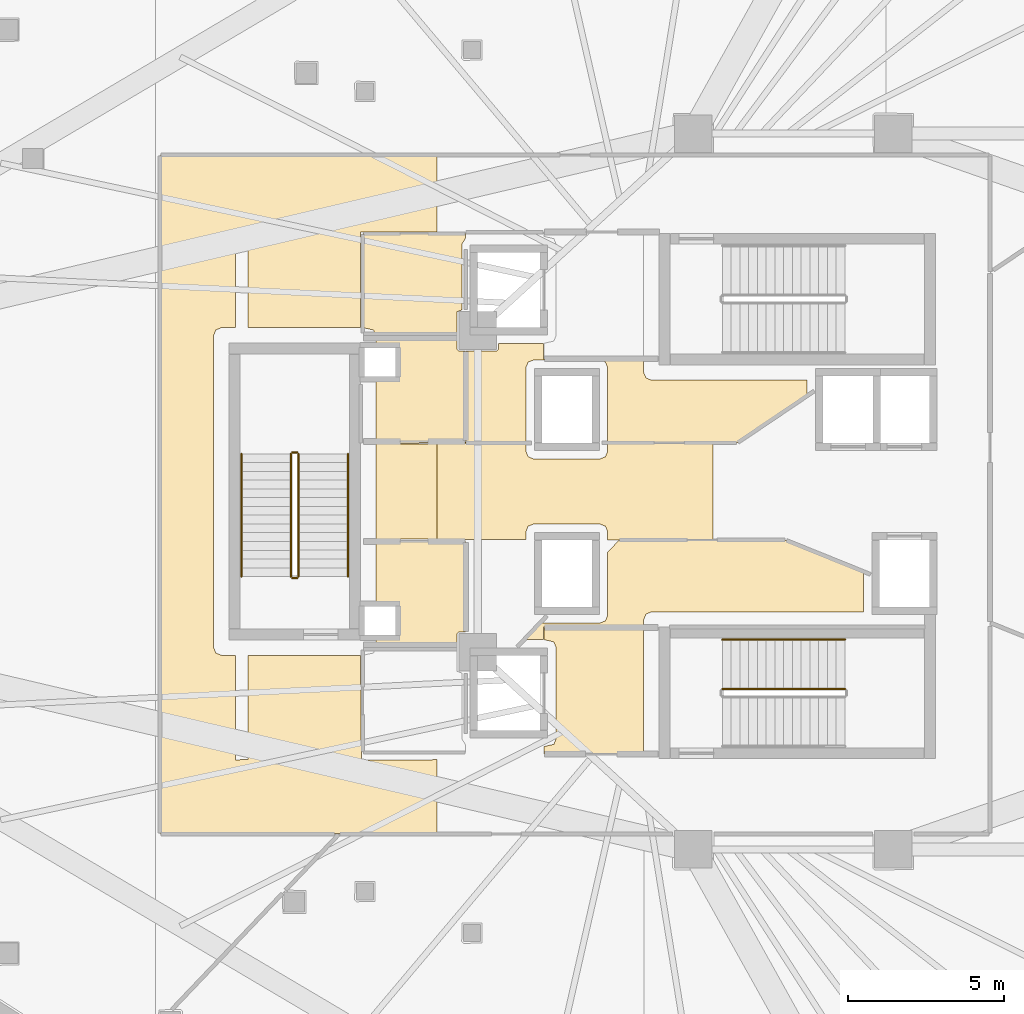
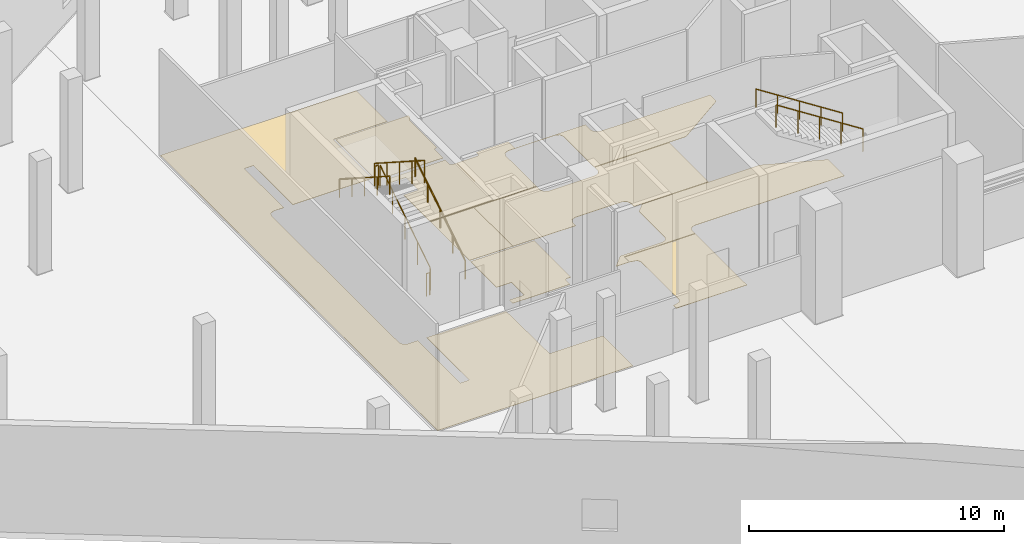
# One storey, part 33 of 36: 9 coverings, 8 railings.
"""IFC4 building model written with IfcOpenShell, lengths in metres."""

from ifc_helpers import new_model, si_unit, direction, frame, origin, origin_2d, place, context, subcontext, project, spatial, polyline, circle, outline, extrude, material, layer, layer_set, type_object, element, save


model = new_model("IFC4")

# Units and contexts
model_context = context("Model", 3, precision=1e-05, world=origin(), true_north=direction((0.0, 1.0)))
body_context = subcontext(model_context, "Body", "Model", "MODEL_VIEW")
ifc_project = project(units=[si_unit("LENGTHUNIT", "METRE"), si_unit("AREAUNIT", "SQUARE_METRE"), si_unit("VOLUMEUNIT", "CUBIC_METRE"), si_unit("PLANEANGLEUNIT", "RADIAN"), si_unit("MASSUNIT", "GRAM", prefix="KILO")], contexts=[model_context])

# Site, building, storey
site_placement = place(None, origin())
site = spatial("IfcSite", under=ifc_project, at=site_placement, CompositionType="ELEMENT")
building_placement = place(site_placement, origin())
building = spatial("IfcBuilding", under=site, at=building_placement, Name="Qorvath Tower", CompositionType="ELEMENT")
storey_placement = place(building_placement, frame((0.0, 0.0, 27.0)))
storey = spatial("IfcBuildingStorey", under=building, at=storey_placement, Name="L05", CompositionType="ELEMENT", Elevation=27.0)

# Coverings
ifc_material_1 = material(Name="Low-VOC modular carpet tile", Category="textile")
ifc_layer_1 = layer(ifc_material_1, 0.014892578125)
ifc_layer_set_1 = layer_set([ifc_layer_1], Name="COV-FLOOR-CPT")
covering_type_1 = type_object("IfcCoveringType", Name="COV-FLOOR-CPT", PredefinedType="FLOORING", material=ifc_layer_set_1)
covering_1_placement = place(storey_placement, origin())
element("IfcCovering", 1, at=covering_1_placement, inside=storey, type_object=covering_type_1, Name="L05 Floor Finish 004", PredefinedType="FLOORING", context=body_context, shape_type="SweptSolid", body=[
    extrude(outline(polyline([(-31.159912109375, 4.89501953125), (-33.760009765625, 4.89501953125), (-33.760009765625, 4.633056640625), (-33.08837890625, 4.631591796875), (-33.0869140625, 3.64208984375), (-33.760009765625, 3.636962890625), (-33.760009765625, 1.60498046875), (-30.885009765625, 1.60498046875), (-30.885009765625, 4.489990234375), (-31.10009765625, 4.489990234375), (-31.159912109375, 4.550048828125), (-31.159912109375, 4.89501953125)])), origin(), (0.0, 0.0, 1.0), 0.014892578125),
])
covering_2_placement = place(storey_placement, origin())
element("IfcCovering", 2, at=covering_2_placement, inside=storey, type_object=covering_type_1, Name="L05 Floor Finish 006", PredefinedType="FLOORING", context=body_context, shape_type="SweptSolid", body=[
    extrude(outline(polyline([(-30.885009765625, -4.489990234375), (-30.885009765625, -1.60498046875), (-33.760009765625, -1.60498046875), (-33.760009765625, -3.636962890625), (-33.08837890625, -3.638427734375), (-33.0869140625, -4.6279296875), (-33.760009765625, -4.633056640625), (-33.760009765625, -4.89501953125), (-31.159912109375, -4.89501953125), (-31.159912109375, -4.550048828125), (-31.10009765625, -4.489990234375), (-30.885009765625, -4.489990234375)])), origin(), (0.0, 0.0, 1.0), 0.014892578125),
])
covering_3_placement = place(storey_placement, origin())
element("IfcCovering", 3, at=covering_3_placement, inside=storey, type_object=covering_type_1, Name="L05 Floor Finish 013", PredefinedType="FLOORING", context=body_context, shape_type="SweptSolid", body=[
    extrude(outline(polyline([(-33.760009765625, 1.5869140625), (-33.760009765625, 1.53564453125), (-28.9599609375, 1.56103515625), (-28.9599609375, 3.9599609375), (-28.88671875, 4.13671875), (-28.7099609375, 4.2099609375), (-26.590087890625, 4.2099609375), (-26.413330078125, 4.13671875), (-26.340087890625, 3.9599609375), (-26.340087890625, 1.56298828125), (-22.191650390625, 1.56298828125), (-19.9599609375, 3.068359375), (-19.9599609375, 3.56005859375), (-24.93994140625, 3.56005859375), (-25.11669921875, 3.63330078125), (-25.18994140625, 3.81005859375), (-25.18994140625, 4.237060546875), (-28.387939453125, 4.237060546875), (-28.39306640625, 4.739990234375), (-29.840087890625, 4.739990234375), (-29.840087890625, 4.550048828125), (-29.89990234375, 4.489990234375), (-30.866943359375, 4.489990234375), (-30.8720703125, 1.5869140625), (-33.760009765625, 1.5869140625)])), origin(), (0.0, 0.0, 1.0), 0.014892578125),
])
covering_4_placement = place(storey_placement, origin())
element("IfcCovering", 4, at=covering_4_placement, inside=storey, type_object=covering_type_1, Name="L05 Floor Finish 017", PredefinedType="FLOORING", context=body_context, shape_type="SweptSolid", body=[
    extrude(outline(polyline([(-25.18994140625, -4.33447265625), (-25.18994140625, -4.10009765625), (-25.11669921875, -3.92333984375), (-24.93994140625, -3.85009765625), (-18.159912109375, -3.85009765625), (-18.159912109375, -2.567138671875), (-20.64501953125, -1.56298828125), (-25.9814453125, -1.56298828125), (-26.340087890625, -1.939453125), (-26.340087890625, -3.9599609375), (-26.413330078125, -4.13671875), (-26.590087890625, -4.2099609375), (-28.501953125, -4.2099609375), (-29.0068359375, -4.739990234375), (-28.39306640625, -4.739990234375), (-28.387939453125, -4.3369140625), (-25.18994140625, -4.33447265625)])), origin(), (0.0, 0.0, 1.0), 0.014892578125),
])
ifc_material_2 = material(Name="Polished epoxy terrazzo flooring", Category="concrete")
ifc_layer_2 = layer(ifc_material_2, 0.02001953125)
ifc_layer_set_2 = layer_set([ifc_layer_2], Name="COV-FLOOR-TRZ")
covering_type_2 = type_object("IfcCoveringType", Name="COV-FLOOR-TRZ", PredefinedType="FLOORING", material=ifc_layer_set_2)
covering_5_placement = place(storey_placement, origin())
element("IfcCovering", 5, at=covering_5_placement, inside=storey, type_object=covering_type_2, Name="L05 Floor Finish 002", PredefinedType="FLOORING", context=body_context, shape_type="SweptSolid", body=[
    extrude(outline(polyline([(-25.18994140625, -8.39501953125), (-25.18994140625, -4.35498046875), (-28.375, -4.35498046875), (-28.375, -4.739990234375), (-28.063232421875, -4.813232421875), (-27.989990234375, -4.989990234375), (-27.989990234375, -7.909912109375), (-28.063232421875, -8.086669921875), (-28.375, -8.159912109375), (-28.375, -8.39501953125), (-25.18994140625, -8.39501953125)])), origin(), (0.0, 0.0, 1.0), 0.014892578125),
])
covering_6_placement = place(storey_placement, origin())
element("IfcCovering", 6, at=covering_6_placement, inside=storey, type_object=covering_type_2, Name="L05 Floor Finish 003", PredefinedType="FLOORING", context=body_context, shape_type="SweptSolid", body=[
    extrude(outline(polyline([(-31.010009765625, 7.909912109375), (-30.885009765625, 8.108154296875), (-30.885009765625, 8.2451171875), (-34.175048828125, 8.2451171875), (-34.175048828125, 5.239990234375), (-33.833251953125, 5.166748046875), (-33.786865234375, 5.054931640625), (-31.159912109375, 5.054931640625), (-31.159912109375, 5.75), (-31.010009765625, 5.81005859375), (-31.010009765625, 7.909912109375)])), origin(), (0.0, 0.0, 1.0), 0.014892578125),
])
covering_7_placement = place(storey_placement, origin())
element("IfcCovering", 7, at=covering_7_placement, inside=storey, type_object=covering_type_2, Name="L05 Floor Finish 007", PredefinedType="FLOORING", context=body_context, shape_type="SweptSolid", body=[
    extrude(outline(polyline([(-31.804931640625, -10.945068359375), (-31.804931640625, -8.58203125), (-34.219970703125, -8.5849609375), (-34.251220703125, -5.239990234375), (-37.844970703125, -5.239990234375), (-37.844970703125, -8.580078125), (-38.25341796875, -8.58349609375), (-38.2548828125, -5.239990234375), (-38.699951171875, -5.239990234375), (-38.876708984375, -5.166748046875), (-38.949951171875, -4.989990234375), (-38.949951171875, 4.989990234375), (-38.876708984375, 5.166748046875), (-38.699951171875, 5.239990234375), (-38.2548828125, 5.239990234375), (-38.2548828125, 8.320068359375), (-37.844970703125, 8.320068359375), (-37.844970703125, 5.239990234375), (-34.2548828125, 5.239990234375), (-34.2548828125, 8.300048828125), (-31.804931640625, 8.30126953125), (-31.804931640625, 10.7451171875), (-40.64501953125, 10.7451171875), (-40.64501953125, -10.945068359375), (-31.804931640625, -10.945068359375)])), origin(), (0.0, 0.0, 1.0), 0.014892578125),
])
covering_8_placement = place(storey_placement, origin())
element("IfcCovering", 8, at=covering_8_placement, inside=storey, type_object=covering_type_2, Name="L05 Floor Finish 008", PredefinedType="FLOORING", context=body_context, shape_type="SweptSolid", body=[
    extrude(outline(polyline([(-31.804931640625, -1.52783203125), (-31.804931640625, 1.52783203125), (-33.760009765625, 1.517578125), (-33.760009765625, -1.517578125), (-31.804931640625, -1.52783203125)])), origin(), (0.0, 0.0, 1.0), 0.014892578125),
])
covering_9_placement = place(storey_placement, origin())
element("IfcCovering", 9, at=covering_9_placement, inside=storey, type_object=covering_type_2, Name="L05 Floor Finish 009", PredefinedType="FLOORING", context=body_context, shape_type="SweptSolid", body=[
    extrude(outline(polyline([(-22.965087890625, -1.544921875), (-22.965087890625, 1.544921875), (-26.340087890625, 1.544921875), (-26.340087890625, 1.2900390625), (-26.413330078125, 1.11328125), (-26.590087890625, 1.0400390625), (-28.7099609375, 1.0400390625), (-28.88671875, 1.11328125), (-28.9599609375, 1.2900390625), (-28.9599609375, 1.54296875), (-31.804931640625, 1.52783203125), (-31.804931640625, -1.52783203125), (-28.9599609375, -1.54296875), (-28.9599609375, -1.2900390625), (-28.88671875, -1.11328125), (-28.7099609375, -1.0400390625), (-26.590087890625, -1.0400390625), (-26.413330078125, -1.11328125), (-26.340087890625, -1.2900390625), (-26.340087890625, -1.544921875), (-22.965087890625, -1.544921875)])), origin(), (0.0, 0.0, 1.0), 0.014892578125),
])

# Railings
ifc_material_3 = material(Name="Painted galvanised steel", Category="steel")
railing_type_1 = type_object("IfcRailingType", Name="RL-STR-GRD", PredefinedType="GUARDRAIL", material=ifc_material_3)
railing_1_placement = place(storey_placement, frame((-18.75, -6.320068359375, 2.8798828125)))
element("IfcRailing", 10, at=railing_1_placement, inside=storey, type_object=railing_type_1, Name="L05 TS2 stair guard 3", PredefinedType="GUARDRAIL", context=body_context, shape_type="SweptSolid", body=[
    extrude(circle(Radius=0.02392578125, at=origin_2d()), frame((0.0, 0.0, 1.076171875), z_axis=(-0.841171666519, 0.0, 0.540768182723), x_axis=(0.0, -1.0, 0.0)), (0.0, 0.0, 1.0), 4.66015625),
    extrude(circle(Radius=0.02099609375, at=origin_2d()), origin(), (0.0, 0.0, 1.0), 1.052001953125),
    extrude(circle(Radius=0.02099609375, at=origin_2d()), frame((-0.97998046875, 0.0, 0.6298828125)), (0.0, 0.0, 1.0), 1.052001953125),
    extrude(circle(Radius=0.02099609375, at=origin_2d()), frame((-1.9599609375, 0.0, 1.260009765625)), (0.0, 0.0, 1.0), 1.052001953125),
    extrude(circle(Radius=0.02099609375, at=origin_2d()), frame((-2.93994140625, 0.0, 1.89013671875)), (0.0, 0.0, 1.0), 1.052001953125),
    extrude(circle(Radius=0.02099609375, at=origin_2d()), frame((-3.919921875, 0.0, 2.52001953125)), (0.0, 0.0, 1.0), 1.052001953125),
])
railing_2_placement = place(storey_placement, frame((-36.22998046875, -2.719970703125, 0.179931640625)))
element("IfcRailing", 11, at=railing_2_placement, inside=storey, type_object=railing_type_1, Name="L05 TS3 stair guard 1", PredefinedType="GUARDRAIL", context=body_context, shape_type="SweptSolid", body=[
    extrude(circle(Radius=0.02392578125, at=origin_2d()), frame((0.0, 0.0, 1.076171875), z_axis=(0.0, 0.841171666519, 0.540768182723), x_axis=(-1.0, 0.0, 0.0)), (0.0, 0.0, 1.0), 4.66015625),
    extrude(circle(Radius=0.02099609375, at=origin_2d()), origin(), (0.0, 0.0, 1.0), 1.052001953125),
    extrude(circle(Radius=0.02099609375, at=origin_2d()), frame((0.0, 0.97998046875, 0.6298828125)), (0.0, 0.0, 1.0), 1.052001953125),
    extrude(circle(Radius=0.02099609375, at=origin_2d()), frame((0.0, 1.9599609375, 1.260009765625)), (0.0, 0.0, 1.0), 1.052001953125),
    extrude(circle(Radius=0.02099609375, at=origin_2d()), frame((0.0, 2.93994140625, 1.89013671875)), (0.0, 0.0, 1.0), 1.052001953125),
    extrude(circle(Radius=0.02099609375, at=origin_2d()), frame((0.0, 3.919921875, 2.52001953125)), (0.0, 0.0, 1.0), 1.052001953125),
])
railing_3_placement = place(storey_placement, frame((-36.280029296875, 1.25, 2.699951171875)))
element("IfcRailing", 12, at=railing_3_placement, inside=storey, type_object=railing_type_1, Name="L05 TS3 stair guard 2", PredefinedType="GUARDRAIL", context=body_context, shape_type="SweptSolid", body=[
    extrude(circle(Radius=0.02392578125, at=origin_2d()), frame((0.0, 0.0, 1.076171875), z_axis=(-1.0, 0.0, 0.0), x_axis=(0.0, -1.0, 0.0)), (0.0, 0.0, 1.0), 0.14990234375),
    extrude(circle(Radius=0.02099609375, at=origin_2d()), origin(), (0.0, 0.0, 1.0), 1.052001953125),
    extrude(circle(Radius=0.02099609375, at=origin_2d()), frame((-0.14990234375, 0.0, 0.0)), (0.0, 0.0, 1.0), 1.052001953125),
])
railing_4_placement = place(storey_placement, frame((-36.47998046875, 1.199951171875, 2.8798828125)))
element("IfcRailing", 13, at=railing_4_placement, inside=storey, type_object=railing_type_1, Name="L05 TS3 stair guard 3", PredefinedType="GUARDRAIL", context=body_context, shape_type="SweptSolid", body=[
    extrude(circle(Radius=0.02392578125, at=origin_2d()), frame((0.0, 0.0, 1.076171875), z_axis=(0.0, -0.841171666519, 0.540768182723), x_axis=(1.0, 0.0, 0.0)), (0.0, 0.0, 1.0), 4.66015625),
    extrude(circle(Radius=0.02099609375, at=origin_2d()), origin(), (0.0, 0.0, 1.0), 1.052001953125),
    extrude(circle(Radius=0.02099609375, at=origin_2d()), frame((0.0, -0.97998046875, 0.6298828125)), (0.0, 0.0, 1.0), 1.052001953125),
    extrude(circle(Radius=0.02099609375, at=origin_2d()), frame((0.0, -1.9599609375, 1.260009765625)), (0.0, 0.0, 1.0), 1.052001953125),
    extrude(circle(Radius=0.02099609375, at=origin_2d()), frame((0.0, -2.93994140625, 1.89013671875)), (0.0, 0.0, 1.0), 1.052001953125),
    extrude(circle(Radius=0.02099609375, at=origin_2d()), frame((0.0, -3.919921875, 2.52001953125)), (0.0, 0.0, 1.0), 1.052001953125),
])
railing_5_placement = place(storey_placement, frame((-36.280029296875, -2.77001953125, 0.0)))
element("IfcRailing", 14, at=railing_5_placement, inside=storey, type_object=railing_type_1, Name="L05 TS3 stair guard 4", PredefinedType="GUARDRAIL", context=body_context, shape_type="SweptSolid", body=[
    extrude(circle(Radius=0.02392578125, at=origin_2d()), frame((0.0, 0.0, 1.076171875), z_axis=(-1.0, 0.0, 0.0), x_axis=(0.0, -1.0, 0.0)), (0.0, 0.0, 1.0), 0.14990234375),
    extrude(circle(Radius=0.02099609375, at=origin_2d()), origin(), (0.0, 0.0, 1.0), 1.052001953125),
    extrude(circle(Radius=0.02099609375, at=origin_2d()), frame((-0.14990234375, 0.0, 0.0)), (0.0, 0.0, 1.0), 1.052001953125),
])
ifc_material_4 = material(Name="Brushed stainless steel AISI 304", Category="steel")
railing_type_2 = type_object("IfcRailingType", Name="RL-STR-HND", PredefinedType="HANDRAIL", material=ifc_material_4)
railing_6_placement = place(storey_placement, frame((-18.75, -4.739990234375, 2.8798828125)))
element("IfcRailing", 15, at=railing_6_placement, inside=storey, type_object=railing_type_2, Name="L05 TS2 stair handrail 2", PredefinedType="HANDRAIL", context=body_context, shape_type="SweptSolid", body=[
    extrude(circle(Radius=0.02392578125, at=origin_2d()), frame((0.0, 0.0, 0.8759765625), z_axis=(-0.841171666519, 0.0, 0.540768182723), x_axis=(0.0, -1.0, 0.0)), (0.0, 0.0, 1.0), 4.66015625),
    extrude(circle(Radius=0.02099609375, at=origin_2d()), origin(), (0.0, 0.0, 1.0), 0.851806640625),
    extrude(circle(Radius=0.02099609375, at=origin_2d()), frame((-0.97998046875, 0.0, 0.6298828125)), (0.0, 0.0, 1.0), 0.851806640625),
    extrude(circle(Radius=0.02099609375, at=origin_2d()), frame((-1.9599609375, 0.0, 1.260009765625)), (0.0, 0.0, 1.0), 0.851806640625),
    extrude(circle(Radius=0.02099609375, at=origin_2d()), frame((-2.93994140625, 0.0, 1.89013671875)), (0.0, 0.0, 1.0), 0.851806640625),
    extrude(circle(Radius=0.02099609375, at=origin_2d()), frame((-3.919921875, 0.0, 2.52001953125)), (0.0, 0.0, 1.0), 0.851806640625),
])
railing_7_placement = place(storey_placement, frame((-34.64990234375, -2.719970703125, 0.179931640625)))
element("IfcRailing", 16, at=railing_7_placement, inside=storey, type_object=railing_type_2, Name="L05 TS3 stair handrail 1", PredefinedType="HANDRAIL", context=body_context, shape_type="SweptSolid", body=[
    extrude(circle(Radius=0.02392578125, at=origin_2d()), frame((0.0, 0.0, 0.8759765625), z_axis=(0.0, 0.841171666519, 0.540768182723), x_axis=(-1.0, 0.0, 0.0)), (0.0, 0.0, 1.0), 4.66015625),
    extrude(circle(Radius=0.02099609375, at=origin_2d()), origin(), (0.0, 0.0, 1.0), 0.851806640625),
    extrude(circle(Radius=0.02099609375, at=origin_2d()), frame((0.0, 0.97998046875, 0.6298828125)), (0.0, 0.0, 1.0), 0.851806640625),
    extrude(circle(Radius=0.02099609375, at=origin_2d()), frame((0.0, 1.9599609375, 1.260009765625)), (0.0, 0.0, 1.0), 0.851806640625),
    extrude(circle(Radius=0.02099609375, at=origin_2d()), frame((0.0, 2.93994140625, 1.89013671875)), (0.0, 0.0, 1.0), 0.851806640625),
    extrude(circle(Radius=0.02099609375, at=origin_2d()), frame((0.0, 3.919921875, 2.52001953125)), (0.0, 0.0, 1.0), 0.851806640625),
])
railing_8_placement = place(storey_placement, frame((-38.06005859375, 1.199951171875, 2.8798828125)))
element("IfcRailing", 17, at=railing_8_placement, inside=storey, type_object=railing_type_2, Name="L05 TS3 stair handrail 2", PredefinedType="HANDRAIL", context=body_context, shape_type="SweptSolid", body=[
    extrude(circle(Radius=0.02392578125, at=origin_2d()), frame((0.0, 0.0, 0.8759765625), z_axis=(0.0, -0.841171666519, 0.540768182723), x_axis=(1.0, 0.0, 0.0)), (0.0, 0.0, 1.0), 4.66015625),
    extrude(circle(Radius=0.02099609375, at=origin_2d()), origin(), (0.0, 0.0, 1.0), 0.851806640625),
    extrude(circle(Radius=0.02099609375, at=origin_2d()), frame((0.0, -0.97998046875, 0.6298828125)), (0.0, 0.0, 1.0), 0.851806640625),
    extrude(circle(Radius=0.02099609375, at=origin_2d()), frame((0.0, -1.9599609375, 1.260009765625)), (0.0, 0.0, 1.0), 0.851806640625),
    extrude(circle(Radius=0.02099609375, at=origin_2d()), frame((0.0, -2.93994140625, 1.89013671875)), (0.0, 0.0, 1.0), 0.851806640625),
    extrude(circle(Radius=0.02099609375, at=origin_2d()), frame((0.0, -3.919921875, 2.52001953125)), (0.0, 0.0, 1.0), 0.851806640625),
])

save(model, "model.ifc")
